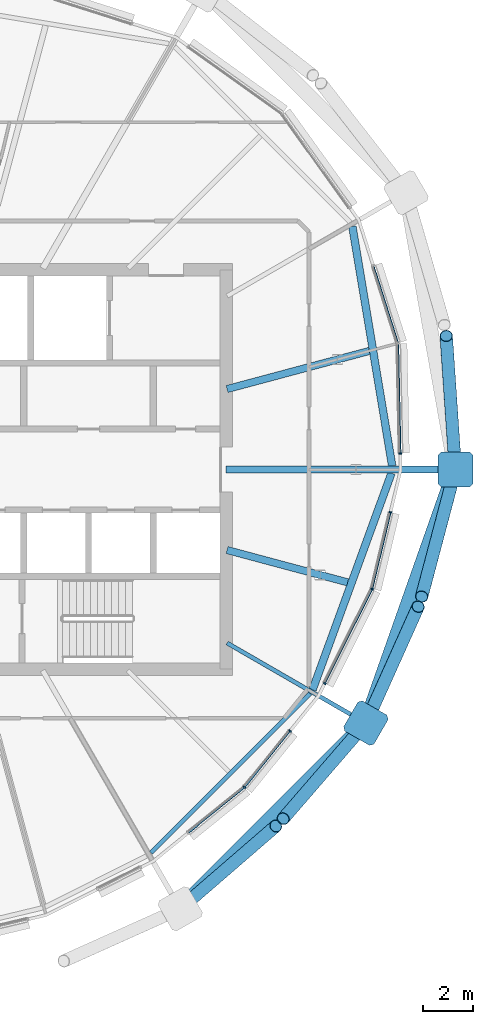
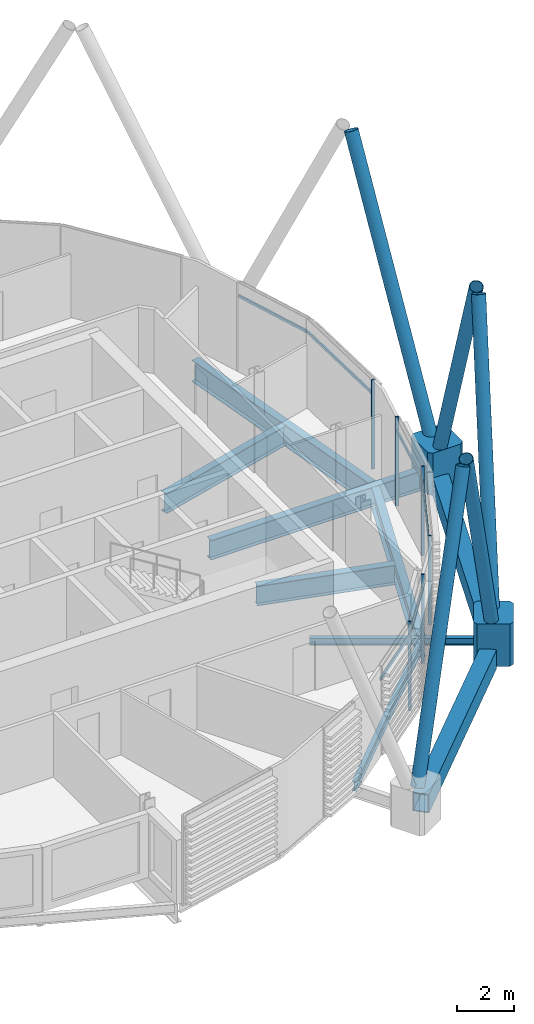
# One storey, part 13 of 31: 19 members, 9 beams, 1 element without a shape of its own.
"""IFC4 building model written with IfcOpenShell, lengths in metres."""

import ifcopenshell
import ifcopenshell.guid

model = None  # the IFC model being written
_history = None  # IfcOwnerHistory: only IFC2X3 demands one
_inside = {}  # id of a spatial element -> (the spatial element, [elements in it])
_under = {}  # id of a project, library or spatial element -> (it, [spatial elements below it])
_declared = {}  # id of a project -> (the project, [libraries it declares])
_typed = {}  # id of a type object -> (the type object, [elements of that type])
_made_of = {}  # id of a material, layer set ... -> (it, [elements and type objects made of it])


def new_model(schema):
    """Start an empty IFC model of exactly this schema.

    Asked for "IFC4X3", IfcOpenShell would pick the latest addendum, in which some entities
    have other attributes; the version numbers below select the first issue.
    IFC2X3 requires an IfcOwnerHistory on every rooted entity: one is made here for all.
    """
    global model, _history
    if schema == "IFC4X3":
        model = ifcopenshell.file(schema_version=(4, 3, 0, 0))
    else:
        model = ifcopenshell.file(schema=schema)
    _inside.clear()
    _under.clear()
    _declared.clear()
    _typed.clear()
    _made_of.clear()
    _history = None
    if model.schema == "IFC2X3":
        org = make("IfcOrganization", Name="unknown")
        user = make(
            "IfcPersonAndOrganization",
            ThePerson=make("IfcPerson", FamilyName="unknown"),
            TheOrganization=org,
        )
        app = make(
            "IfcApplication",
            ApplicationDeveloper=org,
            Version="unknown",
            ApplicationFullName="unknown",
            ApplicationIdentifier="unknown",
        )
        _history = make(
            "IfcOwnerHistory",
            OwningUser=user,
            OwningApplication=app,
            ChangeAction="ADDED",
            CreationDate=0,
        )
    return model


def make(cls, **values):
    """One entity of the class cls with the attributes given. An attribute that is None is left unset."""
    return model.create_entity(
        cls, **{name: value for name, value in values.items() if value is not None}
    )


def rooted(cls, **values):
    """An entity with a GlobalId (a new one), such as an element, a storey or a relation."""
    return make(cls, GlobalId=ifcopenshell.guid.new(), OwnerHistory=_history, **values)


def si_unit(unit_type, name, prefix=None):
    """IfcSIUnit, for example si_unit("LENGTHUNIT", "METRE", prefix="MILLI")."""
    return make("IfcSIUnit", UnitType=unit_type, Prefix=prefix, Name=name)


def assignment(units):
    """IfcUnitAssignment: the units of a project."""
    return None if units is None else make("IfcUnitAssignment", Units=units)


def point(xyz):
    """IfcCartesianPoint."""
    return None if xyz is None else make("IfcCartesianPoint", Coordinates=xyz)


def direction(xyz):
    """IfcDirection."""
    return None if xyz is None else make("IfcDirection", DirectionRatios=xyz)


def frame(location, z_axis=None, x_axis=None):
    """IfcAxis2Placement3D, a coordinate frame: its origin and axes. An axis left out is left unset."""
    return make(
        "IfcAxis2Placement3D",
        Location=point(location),
        Axis=direction(z_axis),
        RefDirection=direction(x_axis),
    )


def frame_2d(location, x_axis=None):
    """IfcAxis2Placement2D, a coordinate frame in the plane: its origin and x axis."""
    return make(
        "IfcAxis2Placement2D", Location=point(location), RefDirection=direction(x_axis)
    )


def origin():
    """The frame at (0, 0, 0) with its axes left unset."""
    return frame((0.0, 0.0, 0.0))


def origin_2d():
    """The frame at (0, 0) in the plane with its x axis left unset."""
    return frame_2d((0.0, 0.0))


def place(relative_to, where):
    """IfcLocalPlacement: puts the frame where relative to a parent placement (None: the world)."""
    return make(
        "IfcLocalPlacement", PlacementRelTo=relative_to, RelativePlacement=where
    )


def context(
    kind, dimensions, precision=None, world=None, true_north=None, identifier=None
):
    """IfcGeometricRepresentationContext, for example the 3D "Model" context."""
    return make(
        "IfcGeometricRepresentationContext",
        ContextIdentifier=identifier,
        ContextType=kind,
        CoordinateSpaceDimension=dimensions,
        Precision=precision,
        WorldCoordinateSystem=world,
        TrueNorth=true_north,
    )


def subcontext(parent, identifier, kind, view, scale=None):
    """IfcGeometricRepresentationSubContext, for example "Body" below "Model"."""
    return make(
        "IfcGeometricRepresentationSubContext",
        ContextIdentifier=identifier,
        ContextType=kind,
        ParentContext=parent,
        TargetScale=scale,
        TargetView=view,
    )


def project(units=None, contexts=None):
    """IfcProject with its units and contexts."""
    return rooted(
        "IfcProject",
        Name="project",
        RepresentationContexts=contexts,
        UnitsInContext=assignment(units),
    )


def spatial(cls, under=None, at=None, **own):
    """A site, building, storey or space (cls), placed at a placement, below another one or the project."""
    s = rooted(cls, ObjectPlacement=at, **own)
    if under is not None:
        _under.setdefault(under.id(), (under, []))[1].append(s)
    return s


def polyline(points):
    """IfcPolyline through the points."""
    return make("IfcPolyline", Points=[point(p) for p in points])


def profile(cls, at=None, kind="AREA", **sizes):
    """A parametric profile (cls). Its sizes go by their IFC names, for example OverallWidth=200.0."""
    return make(cls, ProfileType=kind, Position=at, **sizes)


def rectangle(**sizes):
    """IfcRectangleProfileDef."""
    return profile("IfcRectangleProfileDef", **sizes)


def hollow_rectangle(**sizes):
    """IfcRectangleHollowProfileDef."""
    return profile("IfcRectangleHollowProfileDef", **sizes)


def hollow_circle(**sizes):
    """IfcCircleHollowProfileDef."""
    return profile("IfcCircleHollowProfileDef", **sizes)


def i_section(**sizes):
    """IfcIShapeProfileDef."""
    return profile("IfcIShapeProfileDef", **sizes)


def outline(outer, holes=None, kind="AREA"):
    """IfcArbitraryClosedProfileDef: a profile drawn as a closed curve; with holes, ...WithVoids."""
    if holes is None:
        return make("IfcArbitraryClosedProfileDef", ProfileType=kind, OuterCurve=outer)
    return make(
        "IfcArbitraryProfileDefWithVoids",
        ProfileType=kind,
        OuterCurve=outer,
        InnerCurves=holes,
    )


def extrude(swept, where, along, depth):
    """IfcExtrudedAreaSolid: the profile swept, set in the frame where, extruded along a direction by depth."""
    return make(
        "IfcExtrudedAreaSolid",
        SweptArea=swept,
        Position=where,
        ExtrudedDirection=direction(along),
        Depth=depth,
    )


def shape(context_of_items, identifier, shape_type, items):
    """IfcShapeRepresentation: the items that make up one representation, for example the "Body"."""
    return make(
        "IfcShapeRepresentation",
        ContextOfItems=context_of_items,
        RepresentationIdentifier=identifier,
        RepresentationType=shape_type,
        Items=items,
    )


def material(Name=None, Category=None):
    """IfcMaterial."""
    return make("IfcMaterial", Name=Name, Category=Category)


def material_profile(
    of_material, cross_section, Name=None, Category=None, Priority=None
):
    """IfcMaterialProfile: a cross section and its material."""
    return make(
        "IfcMaterialProfile",
        Name=Name,
        Material=of_material,
        Profile=cross_section,
        Priority=Priority,
        Category=Category,
    )


def profile_set(profiles, Name=None, composite=None):
    """IfcMaterialProfileSet."""
    return make(
        "IfcMaterialProfileSet",
        Name=Name,
        MaterialProfiles=profiles,
        CompositeProfile=composite,
    )


def made_of(thing, what):
    """Note that an element or type object is made of a material, layer set ...; save() writes the relation."""
    if what is not None:
        _made_of.setdefault(what.id(), (what, []))[1].append(thing)
    return thing


def type_object(cls, material=None, **own):
    """A type object (cls), such as IfcWallType, which elements share."""
    return made_of(rooted(cls, **own), material)


def element(
    cls,
    number,
    at=None,
    inside=None,
    cuts=None,
    type_object=None,
    material=None,
    context=None,
    identifier="Body",
    shape_type=None,
    held_by="IfcProductDefinitionShape",
    body=None,
    shapes=None,
    **own,
):
    """One element of the class cls, such as IfcWall. Its Tag is "e" and its number.

    at: its placement. inside: the storey or other place that contains it. cuts: it is an
    opening in that element (IfcRelVoidsElement). A single representation is given by context,
    identifier, shape_type and body (its items); several are given by shapes. held_by: the class
    of the entity that holds the representations. save() writes the other relations.
    """
    e = rooted(cls, Tag="e%d" % number, ObjectPlacement=at, **own)
    if body is not None:
        shapes = [shape(context, identifier, shape_type, body)]
    if shapes is not None:
        e.Representation = make(held_by, Representations=shapes)
    if inside is not None:
        _inside.setdefault(inside.id(), (inside, []))[1].append(e)
    if cuts is not None:
        rooted(
            "IfcRelVoidsElement", RelatingBuildingElement=cuts, RelatedOpeningElement=e
        )
    if type_object is not None:
        _typed.setdefault(type_object.id(), (type_object, []))[1].append(e)
    return made_of(e, material)


def aggregate(whole, parts):
    """IfcRelAggregates: a whole, such as a stair, and the parts it consists of."""
    return rooted("IfcRelAggregates", RelatingObject=whole, RelatedObjects=parts)


def save(model, path):
    """Write the relations noted so far, then the file.

    IfcRelAggregates (storeys below a building ...), IfcRelContainedInSpatialStructure (elements
    in a storey), IfcRelDefinesByType, IfcRelAssociatesMaterial and IfcRelDeclares: one each for
    every whole, place, type object, material and project.
    """
    for whole, parts in _under.values():
        aggregate(whole, parts)
    for where, things in _inside.values():
        rooted(
            "IfcRelContainedInSpatialStructure",
            RelatedElements=things,
            RelatingStructure=where,
        )
    for kind, things in _typed.values():
        rooted("IfcRelDefinesByType", RelatedObjects=things, RelatingType=kind)
    for what, things in _made_of.values():
        rooted("IfcRelAssociatesMaterial", RelatedObjects=things, RelatingMaterial=what)
    for by, libraries in _declared.values():
        rooted("IfcRelDeclares", RelatingContext=by, RelatedDefinitions=libraries)
    model.write(path)


model = new_model("IFC4")

# Units and contexts
model_context = context("Model", 3, precision=1e-05, world=origin(), true_north=direction((0.0, 1.0)))
body_context = subcontext(model_context, "Body", "Model", "MODEL_VIEW")
ifc_project = project(units=[si_unit("LENGTHUNIT", "METRE"), si_unit("AREAUNIT", "SQUARE_METRE"), si_unit("VOLUMEUNIT", "CUBIC_METRE"), si_unit("PLANEANGLEUNIT", "RADIAN"), si_unit("MASSUNIT", "GRAM", prefix="KILO")], contexts=[model_context])

# Site, building, storey
site_placement = place(None, origin())
site = spatial("IfcSite", under=ifc_project, at=site_placement, CompositionType="ELEMENT")
building_placement = place(site_placement, origin())
building = spatial("IfcBuilding", under=site, at=building_placement, Name="Rimbun Link Towers", CompositionType="ELEMENT")
storey_placement = place(building_placement, frame((0.0, 0.0, 244.699951171875)))
storey = spatial("IfcBuildingStorey", under=building, at=storey_placement, Name="L60", CompositionType="ELEMENT", Elevation=244.699951171875)

# Curtain wall, members
ifc_material_1 = material(Name="Aluminium 6063-T6 and low-iron glass", Category="aluminium")
curtain_wall_type = type_object("IfcCurtainWallType", Name="CW1-Z4 unitised vision wall (zone 4)", PredefinedType="NOTDEFINED", material=ifc_material_1)
curtain_wall_placement = place(storey_placement, origin())
curtain_wall = element("IfcCurtainWall", 1, at=curtain_wall_placement, inside=storey, type_object=curtain_wall_type, Name="CW1 L60 T2", PredefinedType="NOTDEFINED")
ifc_material_2 = material(Name="Aluminium 6063-T6", Category="aluminium")
ifc_material_profile_1 = material_profile(ifc_material_2, rectangle(XDim=0.1201171875, YDim=0.06005859375, at=origin_2d()), Name="MULLION 60X120")
ifc_profile_set_1 = profile_set([ifc_material_profile_1], Name="Aluminium 6063-T6")
member_type_1 = type_object("IfcMemberType", Name="CW1 mullion 60X120", PredefinedType="MULLION", material=ifc_profile_set_1)
member_1_placement = place(storey_placement, frame((44.4873046875, -12.7373046875, 0.0), z_axis=(0.0, 0.0, 1.0), x_axis=(0.707106781187, -0.707106781187, 0.0)))
member_1 = element("IfcMember", 2, at=member_1_placement, type_object=member_type_1, Name="CW1 mullion", PredefinedType="MULLION", context=body_context, shape_type="SweptSolid", body=[
    extrude(rectangle(XDim=0.1201171875, YDim=0.06005859375, at=origin_2d()), origin(), (0.0, 0.0, 1.0), 3.800048828125),
])
member_2_placement = place(storey_placement, frame((46.31884765625, -10.47509765625, 0.0), z_axis=(0.0, 0.0, 1.0), x_axis=(0.777276551105, -0.629159092045, 0.0)))
member_2 = element("IfcMember", 3, at=member_2_placement, type_object=member_type_1, Name="CW1 mullion", PredefinedType="MULLION", context=body_context, shape_type="SweptSolid", body=[
    extrude(rectangle(XDim=0.1201171875, YDim=0.06005859375, at=origin_2d()), origin(), (0.0, 0.0, 1.0), 3.800048828125),
])
member_3_placement = place(storey_placement, frame((49.60498046875, -4.789794921875, 0.0), z_axis=(0.0, 0.0, 1.0), x_axis=(0.939348063646, -0.342965326709, 0.0)))
member_3 = element("IfcMember", 4, at=member_3_placement, type_object=member_type_1, Name="CW1 mullion", PredefinedType="MULLION", context=body_context, shape_type="SweptSolid", body=[
    extrude(rectangle(XDim=0.1201171875, YDim=0.06005859375, at=origin_2d()), origin(), (0.0, 0.0, 1.0), 3.800048828125),
])
member_4_placement = place(storey_placement, frame((47.705078125, -8.57373046875, 0.0), z_axis=(0.0, 0.0, 1.0), x_axis=(0.893647148893, -0.4487702901, 0.0)))
member_4 = element("IfcMember", 5, at=member_4_placement, type_object=member_type_1, Name="CW1 mullion", PredefinedType="MULLION", context=body_context, shape_type="SweptSolid", body=[
    extrude(rectangle(XDim=0.1201171875, YDim=0.06005859375, at=origin_2d()), origin(), (0.0, 0.0, 1.0), 3.800048828125),
])
member_5_placement = place(storey_placement, frame((50.340576171875, -1.716064453125, 0.0), z_axis=(0.0, 0.0, 1.0), x_axis=(0.972571370192, -0.232604664363, 0.0)))
member_5 = element("IfcMember", 6, at=member_5_placement, type_object=member_type_1, Name="CW1 mullion", PredefinedType="MULLION", context=body_context, shape_type="SweptSolid", body=[
    extrude(rectangle(XDim=0.1201171875, YDim=0.06005859375, at=origin_2d()), origin(), (0.0, 0.0, 1.0), 3.800048828125),
])
member_6_placement = place(storey_placement, frame((50.735595703125, 0.651123046875, 0.0), z_axis=(0.0, 0.0, 1.0), x_axis=(0.999778207989, 0.021060266635, 0.0)))
member_6 = element("IfcMember", 7, at=member_6_placement, type_object=member_type_1, Name="CW1 mullion", PredefinedType="MULLION", context=body_context, shape_type="SweptSolid", body=[
    extrude(rectangle(XDim=0.1201171875, YDim=0.06005859375, at=origin_2d()), origin(), (0.0, 0.0, 1.0), 3.800048828125),
])
ifc_material_3 = material(Name="Aluminium 6063-T6", Category="aluminium")
ifc_material_profile_2 = material_profile(ifc_material_3, rectangle(XDim=0.06005859375, YDim=0.1201171875, at=origin_2d()), Name="TRANSOM 60X120")
ifc_profile_set_2 = profile_set([ifc_material_profile_2], Name="Aluminium 6063-T6")
member_type_2 = type_object("IfcMemberType", Name="CW1 transom 60X120", PredefinedType="USERDEFINED", material=ifc_profile_set_2)
member_7_placement = place(storey_placement, frame((44.4580078125, -12.7587890625, 3.199951171875), z_axis=(-0.777254865339, -0.629185882158, 0.0), x_axis=(0.629185882158, -0.777254865339, 0.0)))
member_7 = element("IfcMember", 8, at=member_7_placement, type_object=member_type_2, Name="CW1 transom", ObjectType="TRANSOM", PredefinedType="USERDEFINED", context=body_context, shape_type="SweptSolid", body=[
    extrude(rectangle(XDim=0.06005859375, YDim=0.1201171875, at=origin_2d()), origin(), (0.0, 0.0, 1.0), 2.84423828125),
])
member_8_placement = place(storey_placement, frame((46.29833984375, -10.497314453125, 3.199951171875), z_axis=(-0.629185882158, -0.777254865339, 0.0), x_axis=(0.777254865339, -0.629185882158, 0.0)))
member_8 = element("IfcMember", 9, at=member_8_placement, type_object=member_type_2, Name="CW1 transom", ObjectType="TRANSOM", PredefinedType="USERDEFINED", context=body_context, shape_type="SweptSolid", body=[
    extrude(rectangle(XDim=0.06005859375, YDim=0.1201171875, at=origin_2d()), origin(), (0.0, 0.0, 1.0), 2.84423828125),
])
member_9_placement = place(storey_placement, frame((49.5869140625, -4.822021484375, 3.199951171875), z_axis=(-0.448783061239, -0.893640735388, 0.0), x_axis=(0.893640735388, -0.448783061239, 0.0)))
member_9 = element("IfcMember", 10, at=member_9_placement, type_object=member_type_2, Name="CW1 transom", ObjectType="TRANSOM", PredefinedType="USERDEFINED", context=body_context, shape_type="SweptSolid", body=[
    extrude(rectangle(XDim=0.06005859375, YDim=0.1201171875, at=origin_2d()), origin(), (0.0, 0.0, 1.0), 4.1669921875),
])
member_10_placement = place(storey_placement, frame((50.33154296875, -1.74462890625, 3.199951171875), z_axis=(-0.232569967618, -0.972579667771, 0.0), x_axis=(0.972579667771, -0.232569967618, 0.0)))
member_10 = element("IfcMember", 11, at=member_10_placement, type_object=member_type_2, Name="CW1 transom", ObjectType="TRANSOM", PredefinedType="USERDEFINED", context=body_context, shape_type="SweptSolid", body=[
    extrude(rectangle(XDim=0.06005859375, YDim=0.1201171875, at=origin_2d()), origin(), (0.0, 0.0, 1.0), 3.093505859375),
])
member_11_placement = place(storey_placement, frame((50.6416015625, 5.017578125, 3.199951171875), z_axis=(0.02105152115, -0.999778392174, 0.0), x_axis=(0.999778392174, 0.02105152115, 0.0)))
member_11 = element("IfcMember", 12, at=member_11_placement, type_object=member_type_2, Name="CW1 transom", ObjectType="TRANSOM", PredefinedType="USERDEFINED", context=body_context, shape_type="SweptSolid", body=[
    extrude(rectangle(XDim=0.06005859375, YDim=0.1201171875, at=origin_2d()), origin(), (0.0, 0.0, 1.0), 4.33740234375),
])
member_12_placement = place(storey_placement, frame((49.657470703125, 8.147705078125, 3.199951171875), z_axis=(0.303084212278, -0.952963776997, 0.0), x_axis=(0.952963776997, 0.303084212278, 0.0)))
member_12 = element("IfcMember", 13, at=member_12_placement, type_object=member_type_2, Name="CW1 transom", ObjectType="TRANSOM", PredefinedType="USERDEFINED", context=body_context, shape_type="SweptSolid", body=[
    extrude(rectangle(XDim=0.06005859375, YDim=0.1201171875, at=origin_2d()), origin(), (0.0, 0.0, 1.0), 3.2060546875),
])
aggregate(curtain_wall, [member_1, member_2, member_3, member_4, member_5, member_6, member_7, member_8, member_9, member_10, member_11, member_12])

# Members
ifc_material_4 = material(Name="Steel S355J2H", Category="steel")
ifc_material_profile_3 = material_profile(ifc_material_4, hollow_circle(Radius=0.25390625, WallThickness=0.02001953125, at=origin_2d()), Name="Diagrid diagonal CHS 508x20")
ifc_profile_set_3 = profile_set([ifc_material_profile_3], Name="Steel S355J2H")
member_type_3 = type_object("IfcMemberType", Name="Diagrid diagonal CHS 508x20", PredefinedType="BRACE", material=ifc_profile_set_3)
for number, where, z_axis, x_axis, name in (
    (14, (42.072021484375, -17.4658203125, 0.453857421875), (0.317565800942, 0.274718280653, 0.907569186534), (-0.654242906956, 0.756284482651, 0.0), "Diagrid diagonal T2 L60-L63 17b"),
    (15, (49.2158203125, -10.322021484375, 0.453857421875), (-0.274718280653, -0.317565800942, 0.907569186534), (0.756284482651, -0.654242906956, 0.0), "Diagrid diagonal T2 L60-L63 19a"),
):
    element("IfcMember", number, at=place(storey_placement, frame(where, z_axis=z_axis, x_axis=x_axis)), inside=storey, type_object=member_type_3, Name=name, PredefinedType="BRACE", context=body_context, shape_type="SweptSolid", body=[
        extrude(hollow_circle(Radius=0.25390625, WallThickness=0.02001953125, at=origin_2d()), origin(), (0.0, 0.0, 1.0), 11.56103515625),
    ])
member_13_placement = place(storey_placement, frame((49.43994140625, -9.97021484375, 0.453125), z_axis=(0.17334862349, 0.386383016953, 0.905901991909), x_axis=(-0.912383729993, 0.409335961337, 0.0)))
element("IfcMember", 16, at=member_13_placement, inside=storey, type_object=member_type_3, Name="Diagrid diagonal T2 L60-L63 19b", PredefinedType="BRACE", context=body_context, shape_type="SweptSolid", body=[
    extrude(hollow_circle(Radius=0.25390625, WallThickness=0.02001953125, at=origin_2d()), origin(), (0.0, 0.0, 1.0), 11.583984375),
])
member_14_placement = place(storey_placement, frame((52.8837890625, -0.20947265625, 0.45068359375), z_axis=(-0.111042148765, -0.419064142481, 0.901140880043), x_axis=(0.966640487302, -0.256137010812, 0.0)))
element("IfcMember", 17, at=member_14_placement, inside=storey, type_object=member_type_3, Name="Diagrid diagonal T2 L60-L63 21a", PredefinedType="BRACE", context=body_context, shape_type="SweptSolid", body=[
    extrude(hollow_circle(Radius=0.25390625, WallThickness=0.02001953125, at=origin_2d()), origin(), (0.0, 0.0, 1.0), 11.650634765625),
])
member_15_placement = place(storey_placement, frame((52.92431640625, 0.219482421875, 0.448974609375), z_axis=(-0.030037325785, 0.439162819445, 0.897905216087), x_axis=(-0.99766911471, -0.068237361855, 0.0)))
element("IfcMember", 18, at=member_15_placement, inside=storey, type_object=member_type_3, Name="Diagrid diagonal T2 L60-L63 21b", PredefinedType="BRACE", context=body_context, shape_type="SweptSolid", body=[
    extrude(hollow_circle(Radius=0.25390625, WallThickness=0.02001953125, at=origin_2d()), origin(), (0.0, 0.0, 1.0), 11.696044921875),
])
ifc_material_5 = material(Name="Cast steel G20Mn5+QT, Rp0.2 300 MPa", Category="steel")
ifc_material_profile_4 = material_profile(ifc_material_5, outline(polyline([(0.699951171875, -0.570068359375), (0.699951171875, 0.570068359375), (0.570068359375, 0.699951171875), (-0.570068359375, 0.699951171875), (-0.699951171875, 0.570068359375), (-0.699951171875, -0.570068359375), (-0.570068359375, -0.699951171875), (0.570068359375, -0.699951171875), (0.699951171875, -0.570068359375)])), Name="NODE 1400x1400")
ifc_profile_set_4 = profile_set([ifc_material_profile_4], Name="Cast steel G20Mn5+QT, Rp0.2 300 MPa")
member_type_4 = type_object("IfcMemberType", Name="Diagrid node cast 1400", PredefinedType="USERDEFINED", material=ifc_profile_set_4)
for number, where, z_axis, x_axis, name in (
    (19, (49.353271484375, -10.163330078125, -0.89990234375), (0.0, 0.0, 1.0), (0.866025403784, -0.5, 0.0), "Diagrid node L60 19"),
    (20, (52.939208984375, 0.0, -0.89990234375), (0.0, 0.0, 1.0), (1.0, 0.0, 0.0), "Diagrid node L60 21"),
):
    element("IfcMember", number, at=place(storey_placement, frame(where, z_axis=z_axis, x_axis=x_axis)), inside=storey, type_object=member_type_4, Name=name, ObjectType="Diagrid node", PredefinedType="USERDEFINED", context=body_context, shape_type="SweptSolid", body=[
        extrude(outline(polyline([(0.699951171875, -0.570068359375), (0.699951171875, 0.570068359375), (0.570068359375, 0.699951171875), (-0.570068359375, 0.699951171875), (-0.699951171875, 0.570068359375), (-0.699951171875, -0.570068359375), (-0.570068359375, -0.699951171875), (0.570068359375, -0.699951171875), (0.699951171875, -0.570068359375)])), origin(), (0.0, 0.0, 1.0), 1.800048828125),
    ])

# Beams
ifc_material_6 = material(Name="Steel S355J2", Category="steel")
ifc_material_profile_5 = material_profile(ifc_material_6, hollow_rectangle(XDim=0.60009765625, YDim=0.800048828125, WallThickness=0.0400390625, at=origin_2d()), Name="Exoskeleton ring girder BOX 600x800x40")
ifc_profile_set_5 = profile_set([ifc_material_profile_5], Name="Steel S355J2")
beam_type_1 = type_object("IfcBeamType", Name="Exoskeleton ring girder BOX 600x800x40", PredefinedType="BEAM", material=ifc_profile_set_5)
beam_1_placement = place(storey_placement, frame((42.408203125, -17.1083984375, -0.56005859375), z_axis=(0.707106781187, 0.707106781187, 0.0), x_axis=(-0.707106781187, 0.707106781187, 0.0)))
element("IfcBeam", 21, at=beam_1_placement, inside=storey, type_object=beam_type_1, Name="Exoskeleton ring girder L60 05", PredefinedType="BEAM", context=body_context, shape_type="SweptSolid", body=[
    extrude(hollow_rectangle(XDim=0.60009765625, YDim=0.800048828125, WallThickness=0.0400390625, at=origin_2d()), origin(), (0.0, 0.0, 1.0), 9.1220703125),
])
beam_2_placement = place(storey_placement, frame((49.586181640625, -9.503173828125, -0.56005859375), z_axis=(0.3327302346, 0.943022052225, 0.0), x_axis=(-0.943022052225, 0.3327302346, 0.0)))
element("IfcBeam", 22, at=beam_2_placement, inside=storey, type_object=beam_type_1, Name="Exoskeleton ring girder L60 06", PredefinedType="BEAM", context=body_context, shape_type="SweptSolid", body=[
    extrude(hollow_rectangle(XDim=0.60009765625, YDim=0.800048828125, WallThickness=0.0400390625, at=origin_2d()), origin(), (0.0, 0.0, 1.0), 9.377197265625),
])
ifc_material_7 = material(Name="Steel S355J2", Category="steel")
ifc_material_profile_6 = material_profile(ifc_material_7, i_section(OverallWidth=0.1650390625, OverallDepth=0.303466796875, WebThickness=0.006103515625, FlangeThickness=0.01025390625, at=origin_2d()), Name="UB 305x165x40")
ifc_profile_set_6 = profile_set([ifc_material_profile_6], Name="Steel S355J2")
beam_type_2 = type_object("IfcBeamType", Name="UB 305x165x40", PredefinedType="BEAM", material=ifc_profile_set_6)
beam_3_placement = place(storey_placement, frame((43.7919921875, -6.952392578125, -0.291748046875), z_axis=(0.86602218603, -0.500005573273, 0.0), x_axis=(0.500005573273, 0.86602218603, 0.0)))
element("IfcBeam", 23, at=beam_3_placement, inside=storey, type_object=beam_type_2, Name="Radial beam T2 L60 19", PredefinedType="BEAM", context=body_context, shape_type="SweptSolid", body=[
    extrude(i_section(OverallWidth=0.1650390625, OverallDepth=0.303466796875, WebThickness=0.006103515625, FlangeThickness=0.01025390625, at=origin_2d()), origin(), (0.0, 0.0, 1.0), 5.921875),
])
ifc_material_8 = material(Name="Steel S355J2", Category="steel")
ifc_material_profile_7 = material_profile(ifc_material_8, i_section(OverallWidth=0.177978515625, OverallDepth=0.406494140625, WebThickness=0.0078125, FlangeThickness=0.0126953125, at=origin_2d()), Name="UB 406x178x60")
ifc_profile_set_7 = profile_set([ifc_material_profile_7], Name="Steel S355J2")
beam_type_3 = type_object("IfcBeamType", Name="UB 406x178x60", PredefinedType="BEAM", material=ifc_profile_set_7)
beam_4_placement = place(storey_placement, frame((40.739013671875, -15.358154296875, -0.34326171875), z_axis=(0.707120298937, 0.707093263177, 0.0), x_axis=(-0.707093263177, 0.707120298937, 0.0)))
element("IfcBeam", 24, at=beam_4_placement, inside=storey, type_object=beam_type_3, Name="Edge beam T2 L60 17-19", PredefinedType="BEAM", context=body_context, shape_type="SweptSolid", body=[
    extrude(i_section(OverallWidth=0.177978515625, OverallDepth=0.406494140625, WebThickness=0.0078125, FlangeThickness=0.0126953125, at=origin_2d()), origin(), (0.0, 0.0, 1.0), 9.0302734375),
])
ifc_material_9 = material(Name="Steel S355J2", Category="steel")
ifc_material_profile_8 = material_profile(ifc_material_9, i_section(OverallWidth=0.29248046875, OverallDepth=0.8408203125, WebThickness=0.0126953125, FlangeThickness=0.021728515625, at=origin_2d()), Name="UB 838x292x194")
ifc_profile_set_8 = profile_set([ifc_material_profile_8], Name="Steel S355J2")
beam_type_4 = type_object("IfcBeamType", Name="UB 838x292x194", PredefinedType="BEAM", material=ifc_profile_set_8)
beam_5_placement = place(storey_placement, frame((43.788818359375, -3.225830078125, -0.560302734375), z_axis=(0.965926488261, -0.258816574576, 0.0), x_axis=(0.258816574576, 0.965926488261, 0.0)))
element("IfcBeam", 25, at=beam_5_placement, inside=storey, type_object=beam_type_4, Name="Radial beam T2 L60 20", PredefinedType="BEAM", context=body_context, shape_type="SweptSolid", body=[
    extrude(i_section(OverallWidth=0.29248046875, OverallDepth=0.8408203125, WebThickness=0.0126953125, FlangeThickness=0.021728515625, at=origin_2d()), origin(), (0.0, 0.0, 1.0), 5.003173828125),
])
beam_6_placement = place(storey_placement, frame((43.7509765625, 0.0, -0.560302734375), z_axis=(1.0, 0.0, 0.0), x_axis=(0.0, 1.0, 0.0)))
element("IfcBeam", 26, at=beam_6_placement, inside=storey, type_object=beam_type_4, Name="Radial beam T2 L60 21", PredefinedType="BEAM", context=body_context, shape_type="SweptSolid", body=[
    extrude(i_section(OverallWidth=0.29248046875, OverallDepth=0.8408203125, WebThickness=0.0126953125, FlangeThickness=0.021728515625, at=origin_2d()), origin(), (0.0, 0.0, 1.0), 8.688232421875),
])
beam_7_placement = place(storey_placement, frame((43.788818359375, 3.225830078125, -0.560302734375), z_axis=(0.965924401919, 0.258824360867, 0.0), x_axis=(-0.258824360867, 0.965924401919, 0.0)))
element("IfcBeam", 27, at=beam_7_placement, inside=storey, type_object=beam_type_4, Name="Radial beam T2 L60 22", PredefinedType="BEAM", context=body_context, shape_type="SweptSolid", body=[
    extrude(i_section(OverallWidth=0.29248046875, OverallDepth=0.8408203125, WebThickness=0.0126953125, FlangeThickness=0.021728515625, at=origin_2d()), origin(), (0.0, 0.0, 1.0), 5.898193359375),
])
ifc_material_10 = material(Name="Steel S355J2", Category="steel")
ifc_material_profile_9 = material_profile(ifc_material_10, i_section(OverallWidth=0.305419921875, OverallDepth=0.91845703125, WebThickness=0.017333984375, FlangeThickness=0.02783203125, at=origin_2d()), Name="UB 914x305x253")
ifc_profile_set_9 = profile_set([ifc_material_profile_9], Name="Steel S355J2")
beam_type_5 = type_object("IfcBeamType", Name="UB 914x305x253", PredefinedType="BEAM", material=ifc_profile_set_9)
beam_8_placement = place(storey_placement, frame((47.214599609375, -8.83203125, -0.59912109375), z_axis=(0.342288041979, 0.939595070399, 0.0), x_axis=(-0.939595070399, 0.342288041979, 0.0)))
element("IfcBeam", 28, at=beam_8_placement, inside=storey, type_object=beam_type_5, Name="Edge beam T2 L60 19-21", PredefinedType="BEAM", context=body_context, shape_type="SweptSolid", body=[
    extrude(i_section(OverallWidth=0.305419921875, OverallDepth=0.91845703125, WebThickness=0.017333984375, FlangeThickness=0.02783203125, at=origin_2d()), origin(), (0.0, 0.0, 1.0), 9.2431640625),
])
beam_9_placement = place(storey_placement, frame((50.40771484375, 0.147216796875, -0.59912109375), z_axis=(-0.164053163876, 0.986451498768, 0.0), x_axis=(-0.986451498768, -0.164053163876, 0.0)))
element("IfcBeam", 29, at=beam_9_placement, inside=storey, type_object=beam_type_5, Name="Edge beam T2 L60 21-23", PredefinedType="BEAM", context=body_context, shape_type="SweptSolid", body=[
    extrude(i_section(OverallWidth=0.305419921875, OverallDepth=0.91845703125, WebThickness=0.017333984375, FlangeThickness=0.02783203125, at=origin_2d()), origin(), (0.0, 0.0, 1.0), 9.731201171875),
])

save(model, "model.ifc")
